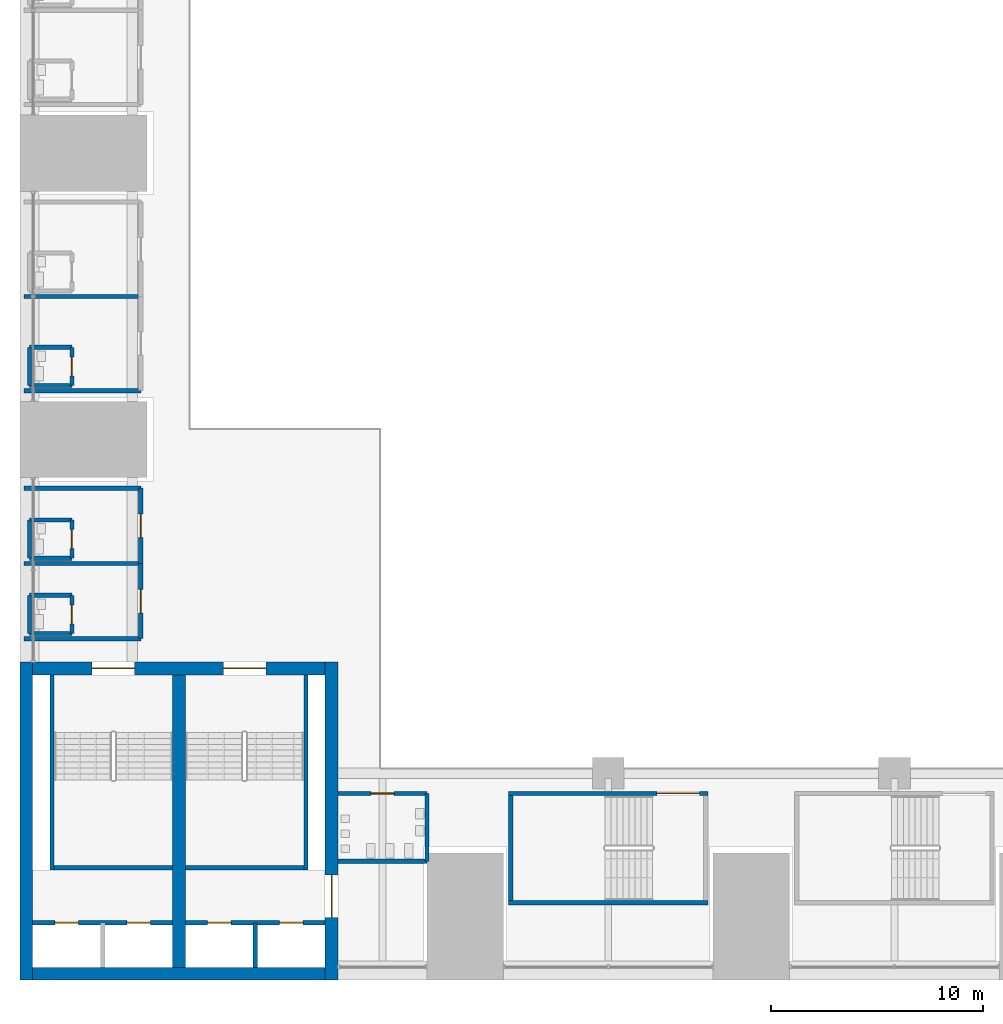
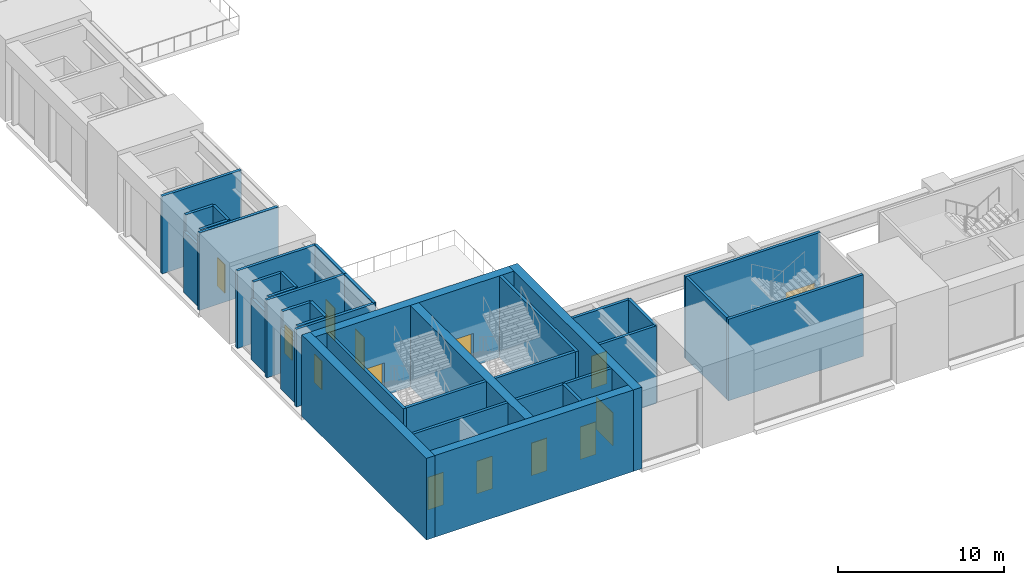
# One storey, part 13 of 43: 37 walls, 14 doors, 14 openings.
"""IFC4 building model written with IfcOpenShell, lengths in metres."""

from ifc_helpers import new_model, si_unit, direction, frame, frame_2d, origin, place, context, subcontext, project, spatial, rectangle, extrude, material, layer, layer_set, type_object, element, fill, save


model = new_model("IFC4")

# Units and contexts
model_context = context("Model", 3, precision=1e-05, world=origin(), true_north=direction((0.0, 1.0)))
body_context = subcontext(model_context, "Body", "Model", "MODEL_VIEW")
ifc_project = project(units=[si_unit("LENGTHUNIT", "METRE"), si_unit("AREAUNIT", "SQUARE_METRE"), si_unit("VOLUMEUNIT", "CUBIC_METRE"), si_unit("PLANEANGLEUNIT", "RADIAN"), si_unit("MASSUNIT", "GRAM", prefix="KILO")], contexts=[model_context])

# Site, building, storey
site_placement = place(None, origin())
site = spatial("IfcSite", under=ifc_project, at=site_placement, CompositionType="ELEMENT")
building_placement = place(site_placement, origin())
building = spatial("IfcBuilding", under=site, at=building_placement, Name="Corbelhall Arena Tower", CompositionType="ELEMENT")
storey_placement = place(building_placement, frame((0.0, 0.0, 25.0)))
storey = spatial("IfcBuildingStorey", under=building, at=storey_placement, Name="L03", CompositionType="ELEMENT", Elevation=25.0)

# Walls
ifc_material_1 = material(Name="Gypsum board on steel studs", Category="steel")
ifc_layer_1 = layer(ifc_material_1, 0.199951171875)
ifc_layer_set_1 = layer_set([ifc_layer_1], Name="AR-ROOM-WALL")
wall_type_1 = type_object("IfcWallType", Name="AR-ROOM-WALL", PredefinedType="PARTITIONING", material=ifc_layer_set_1)
for number, where, z_axis, x_axis, name in (
    (1, (-42.300048828125, -11.199951171875, 0.0), (0.0, 0.0, 1.0), (-1.0, 0.0, 0.0), "Suite seating 0311 end wall"),
    (2, (-47.800048828125, -6.75, 0.0), (0.0, 0.0, 1.0), (1.0, 0.0, 0.0), "Suite seating 0311 partition"),
):
    element("IfcWall", number, at=place(storey_placement, frame(where, z_axis=z_axis, x_axis=x_axis)), inside=storey, type_object=wall_type_1, Name=name, PredefinedType="PARTITIONING", context=body_context, shape_type="SweptSolid", body=[
        extrude(rectangle(XDim=5.5, YDim=0.199951171875, at=frame_2d((2.75, 0.0))), origin(), (0.0, 0.0, 1.0), 5.699951171875),
    ])
for number, where, z_axis, x_axis, name in (
    (3, (-47.550048828125, -10.949951171875, 0.0), (0.0, 0.0, 1.0), (1.0, 0.0, 0.0), "Suite WC 0311 wall"),
    (4, (-45.550048828125, -9.14990234375, 0.0), (0.0, 0.0, 1.0), (-1.0, 0.0, 0.0), "Suite WC 0311 wall"),
):
    element("IfcWall", number, at=place(storey_placement, frame(where, z_axis=z_axis, x_axis=x_axis)), inside=storey, type_object=wall_type_1, Name=name, PredefinedType="PARTITIONING", context=body_context, shape_type="SweptSolid", body=[
        extrude(rectangle(XDim=2.0, YDim=0.199951171875, at=frame_2d((1.0, 0.0))), origin(), (0.0, 0.0, 1.0), 5.699951171875),
    ])

# Wall, opening, door
wall_1_placement = place(storey_placement, frame((-45.550048828125, -10.949951171875, 0.0), z_axis=(0.0, 0.0, 1.0), x_axis=(0.0, 1.0, 0.0)))
wall_1 = element("IfcWall", 5, at=wall_1_placement, inside=storey, type_object=wall_type_1, Name="Suite WC 0311 wall", PredefinedType="PARTITIONING", context=body_context, shape_type="SweptSolid", body=[
    extrude(rectangle(XDim=1.800048828125, YDim=0.199951171875, at=frame_2d((0.89990234375, 0.0))), origin(), (0.0, 0.0, 1.0), 5.699951171875),
])
opening_1_placement = place(wall_1_placement, frame((0.449951171875, 0.0, 0.0)))
opening_1 = element("IfcOpeningElement", 6, at=opening_1_placement, cuts=wall_1, Name="Opening DA0404", PredefinedType="OPENING", context=body_context, shape_type="SweptSolid", body=[
    extrude(rectangle(XDim=0.89990234375, YDim=2.10009765625, at=frame_2d((0.449951171875, 1.050048828125))), frame((0.0, 0.10009765625, 0.0), z_axis=(0.0, -1.0, 0.0), x_axis=(1.0, 0.0, 0.0)), (0.0, 0.0, 1.0), 0.199951171875),
])
ifc_material_2 = material(Name="Timber", Category="wood")
door_type_1 = type_object("IfcDoorType", Name="AR-CELL-DOOR", OperationType="SINGLE_SWING_LEFT", PredefinedType="DOOR", material=ifc_material_2)
door_1_placement = place(opening_1_placement, origin())
door_1 = element("IfcDoor", 7, at=door_1_placement, inside=storey, type_object=door_type_1, Name="Suite WC 0311 door", OperationType="SINGLE_SWING_LEFT", OverallHeight=2.10009765625, OverallWidth=0.89990234375, PredefinedType="DOOR", context=body_context, shape_type="SweptSolid", body=[
    extrude(rectangle(XDim=0.89990234375, YDim=2.10009765625, at=frame_2d((0.449951171875, 1.050048828125))), frame((0.0, 0.02490234375, 0.0), z_axis=(0.0, -1.0, 0.0), x_axis=(1.0, 0.0, 0.0)), (0.0, 0.0, 1.0), 0.050048828125),
])
fill(opening_1, door_1)

wall_2_placement = place(storey_placement, frame((-42.300048828125, -22.89990234375, 0.0), z_axis=(0.0, 0.0, 1.0), x_axis=(0.0, 1.0, 0.0)))
wall_2 = element("IfcWall", 8, at=wall_2_placement, inside=storey, type_object=wall_type_1, Name="Suite seating 0315 wall", PredefinedType="PARTITIONING", context=body_context, shape_type="SweptSolid", body=[
    extrude(rectangle(XDim=3.5498046875, YDim=0.199951171875, at=frame_2d((1.77490234375, 0.0))), origin(), (0.0, 0.0, 1.0), 5.699951171875),
])
opening_2_placement = place(wall_2_placement, frame((1.22509765625, 0.0, 0.0)))
opening_2 = element("IfcOpeningElement", 9, at=opening_2_placement, cuts=wall_2, Name="Opening DA0411", PredefinedType="OPENING", context=body_context, shape_type="SweptSolid", body=[
    extrude(rectangle(XDim=1.10009765625, YDim=2.39990234375, at=frame_2d((0.550048828125, 1.199951171875))), frame((0.0, 0.10009765625, 0.0), z_axis=(0.0, -1.0, 0.0), x_axis=(1.0, 0.0, 0.0)), (0.0, 0.0, 1.0), 0.199951171875),
])
door_type_2 = type_object("IfcDoorType", Name="AR-ROOM-DOOR", OperationType="DOUBLE_DOOR_SINGLE_SWING", PredefinedType="DOOR", material=ifc_material_2)
door_2_placement = place(opening_2_placement, origin())
door_2 = element("IfcDoor", 10, at=door_2_placement, inside=storey, type_object=door_type_2, Name="Suite seating 0315 door", OperationType="DOUBLE_DOOR_SINGLE_SWING", OverallHeight=2.39990234375, OverallWidth=1.10009765625, PredefinedType="DOOR", context=body_context, shape_type="SweptSolid", body=[
    extrude(rectangle(XDim=1.10009765625, YDim=2.39990234375, at=frame_2d((0.550048828125, 1.199951171875))), frame((0.0, 0.02490234375, 0.0), z_axis=(0.0, -1.0, 0.0), x_axis=(1.0, 0.0, 0.0)), (0.0, 0.0, 1.0), 0.050048828125),
])
fill(opening_2, door_2)

# Walls
for number, where, z_axis, x_axis, name in (
    (11, (-42.300048828125, -22.89990234375, 0.0), (0.0, 0.0, 1.0), (-1.0, 0.0, 0.0), "Suite seating 0315 end wall"),
    (12, (-47.800048828125, -19.35009765625, 0.0), (0.0, 0.0, 1.0), (1.0, 0.0, 0.0), "Suite seating 0315 partition"),
):
    element("IfcWall", number, at=place(storey_placement, frame(where, z_axis=z_axis, x_axis=x_axis)), inside=storey, type_object=wall_type_1, Name=name, PredefinedType="PARTITIONING", context=body_context, shape_type="SweptSolid", body=[
        extrude(rectangle(XDim=5.5, YDim=0.199951171875, at=frame_2d((2.75, 0.0))), origin(), (0.0, 0.0, 1.0), 5.699951171875),
    ])
for number, where, z_axis, x_axis, name in (
    (13, (-47.550048828125, -22.64990234375, 0.0), (0.0, 0.0, 1.0), (1.0, 0.0, 0.0), "Suite WC 0315 wall"),
    (14, (-45.550048828125, -20.85009765625, 0.0), (0.0, 0.0, 1.0), (-1.0, 0.0, 0.0), "Suite WC 0315 wall"),
):
    element("IfcWall", number, at=place(storey_placement, frame(where, z_axis=z_axis, x_axis=x_axis)), inside=storey, type_object=wall_type_1, Name=name, PredefinedType="PARTITIONING", context=body_context, shape_type="SweptSolid", body=[
        extrude(rectangle(XDim=2.0, YDim=0.199951171875, at=frame_2d((1.0, 0.0))), origin(), (0.0, 0.0, 1.0), 5.699951171875),
    ])

# Wall, opening, door
wall_3_placement = place(storey_placement, frame((-45.550048828125, -22.64990234375, 0.0), z_axis=(0.0, 0.0, 1.0), x_axis=(0.0, 1.0, 0.0)))
wall_3 = element("IfcWall", 15, at=wall_3_placement, inside=storey, type_object=wall_type_1, Name="Suite WC 0315 wall", PredefinedType="PARTITIONING", context=body_context, shape_type="SweptSolid", body=[
    extrude(rectangle(XDim=1.7998046875, YDim=0.199951171875, at=frame_2d((0.89990234375, 0.0))), origin(), (0.0, 0.0, 1.0), 5.699951171875),
])
opening_3_placement = place(wall_3_placement, frame((0.449951171875, 0.0, 0.0)))
opening_3 = element("IfcOpeningElement", 16, at=opening_3_placement, cuts=wall_3, Name="Opening DA0412", PredefinedType="OPENING", context=body_context, shape_type="SweptSolid", body=[
    extrude(rectangle(XDim=0.89990234375, YDim=2.10009765625, at=frame_2d((0.449951171875, 1.050048828125))), frame((0.0, 0.10009765625, 0.0), z_axis=(0.0, -1.0, 0.0), x_axis=(1.0, 0.0, 0.0)), (0.0, 0.0, 1.0), 0.199951171875),
])
door_3_placement = place(opening_3_placement, origin())
door_3 = element("IfcDoor", 17, at=door_3_placement, inside=storey, type_object=door_type_1, Name="Suite WC 0315 door", OperationType="SINGLE_SWING_LEFT", OverallHeight=2.10009765625, OverallWidth=0.89990234375, PredefinedType="DOOR", context=body_context, shape_type="SweptSolid", body=[
    extrude(rectangle(XDim=0.89990234375, YDim=2.10009765625, at=frame_2d((0.449951171875, 1.050048828125))), frame((0.0, 0.02490234375, 0.0), z_axis=(0.0, -1.0, 0.0), x_axis=(1.0, 0.0, 0.0)), (0.0, 0.0, 1.0), 0.050048828125),
])
fill(opening_3, door_3)

wall_4_placement = place(storey_placement, frame((-42.300048828125, -19.35009765625, 0.0), z_axis=(0.0, 0.0, 1.0), x_axis=(0.0, 1.0, 0.0)))
wall_4 = element("IfcWall", 18, at=wall_4_placement, inside=storey, type_object=wall_type_1, Name="Suite seating 0316 wall", PredefinedType="PARTITIONING", context=body_context, shape_type="SweptSolid", body=[
    extrude(rectangle(XDim=3.550048828125, YDim=0.199951171875, at=frame_2d((1.77490234375, 0.0))), origin(), (0.0, 0.0, 1.0), 5.699951171875),
])
opening_4_placement = place(wall_4_placement, frame((1.22509765625, 0.0, 0.0)))
opening_4 = element("IfcOpeningElement", 19, at=opening_4_placement, cuts=wall_4, Name="Opening DA0413", PredefinedType="OPENING", context=body_context, shape_type="SweptSolid", body=[
    extrude(rectangle(XDim=1.10009765625, YDim=2.39990234375, at=frame_2d((0.550048828125, 1.199951171875))), frame((0.0, 0.10009765625, 0.0), z_axis=(0.0, -1.0, 0.0), x_axis=(1.0, 0.0, 0.0)), (0.0, 0.0, 1.0), 0.199951171875),
])
door_4_placement = place(opening_4_placement, origin())
door_4 = element("IfcDoor", 20, at=door_4_placement, inside=storey, type_object=door_type_2, Name="Suite seating 0316 door", OperationType="DOUBLE_DOOR_SINGLE_SWING", OverallHeight=2.39990234375, OverallWidth=1.10009765625, PredefinedType="DOOR", context=body_context, shape_type="SweptSolid", body=[
    extrude(rectangle(XDim=1.10009765625, YDim=2.39990234375, at=frame_2d((0.550048828125, 1.199951171875))), frame((0.0, 0.02490234375, 0.0), z_axis=(0.0, -1.0, 0.0), x_axis=(1.0, 0.0, 0.0)), (0.0, 0.0, 1.0), 0.050048828125),
])
fill(opening_4, door_4)

# Walls
wall_5_placement = place(storey_placement, frame((-42.300048828125, -15.800048828125, 0.0), z_axis=(0.0, 0.0, 1.0), x_axis=(-1.0, 0.0, 0.0)))
element("IfcWall", 21, at=wall_5_placement, inside=storey, type_object=wall_type_1, Name="Suite seating 0316 end wall", PredefinedType="PARTITIONING", context=body_context, shape_type="SweptSolid", body=[
    extrude(rectangle(XDim=5.5, YDim=0.199951171875, at=frame_2d((2.75, 0.0))), origin(), (0.0, 0.0, 1.0), 5.699951171875),
])
for number, where, z_axis, x_axis, name in (
    (22, (-47.550048828125, -19.10009765625, 0.0), (0.0, 0.0, 1.0), (1.0, 0.0, 0.0), "Suite WC 0316 wall"),
    (23, (-45.550048828125, -17.300048828125, 0.0), (0.0, 0.0, 1.0), (-1.0, 0.0, 0.0), "Suite WC 0316 wall"),
):
    element("IfcWall", number, at=place(storey_placement, frame(where, z_axis=z_axis, x_axis=x_axis)), inside=storey, type_object=wall_type_1, Name=name, PredefinedType="PARTITIONING", context=body_context, shape_type="SweptSolid", body=[
        extrude(rectangle(XDim=2.0, YDim=0.199951171875, at=frame_2d((1.0, 0.0))), origin(), (0.0, 0.0, 1.0), 5.699951171875),
    ])

# Wall, opening, door
wall_6_placement = place(storey_placement, frame((-45.550048828125, -19.10009765625, 0.0), z_axis=(0.0, 0.0, 1.0), x_axis=(0.0, 1.0, 0.0)))
wall_6 = element("IfcWall", 24, at=wall_6_placement, inside=storey, type_object=wall_type_1, Name="Suite WC 0316 wall", PredefinedType="PARTITIONING", context=body_context, shape_type="SweptSolid", body=[
    extrude(rectangle(XDim=1.800048828125, YDim=0.199951171875, at=frame_2d((0.89990234375, 0.0))), origin(), (0.0, 0.0, 1.0), 5.699951171875),
])
opening_5_placement = place(wall_6_placement, frame((0.449951171875, 0.0, 0.0)))
opening_5 = element("IfcOpeningElement", 25, at=opening_5_placement, cuts=wall_6, Name="Opening DA0414", PredefinedType="OPENING", context=body_context, shape_type="SweptSolid", body=[
    extrude(rectangle(XDim=0.89990234375, YDim=2.10009765625, at=frame_2d((0.449951171875, 1.050048828125))), frame((0.0, 0.10009765625, 0.0), z_axis=(0.0, -1.0, 0.0), x_axis=(1.0, 0.0, 0.0)), (0.0, 0.0, 1.0), 0.199951171875),
])
door_5_placement = place(opening_5_placement, origin())
door_5 = element("IfcDoor", 26, at=door_5_placement, inside=storey, type_object=door_type_1, Name="Suite WC 0316 door", OperationType="SINGLE_SWING_LEFT", OverallHeight=2.10009765625, OverallWidth=0.89990234375, PredefinedType="DOOR", context=body_context, shape_type="SweptSolid", body=[
    extrude(rectangle(XDim=0.89990234375, YDim=2.10009765625, at=frame_2d((0.449951171875, 1.050048828125))), frame((0.0, 0.02490234375, 0.0), z_axis=(0.0, -1.0, 0.0), x_axis=(1.0, 0.0, 0.0)), (0.0, 0.0, 1.0), 0.050048828125),
])
fill(opening_5, door_5)

wall_7_placement = place(storey_placement, frame((-33.0, -30.199951171875, 0.0), z_axis=(0.0, 0.0, 1.0), x_axis=(1.0, 0.0, 0.0)))
wall_7 = element("IfcWall", 27, at=wall_7_placement, inside=storey, type_object=wall_type_1, Name="Men's WC 4 wall", PredefinedType="PARTITIONING", context=body_context, shape_type="SweptSolid", body=[
    extrude(rectangle(XDim=4.199951171875, YDim=0.199951171875, at=frame_2d((2.10009765625, 0.0))), origin(), (0.0, 0.0, 1.0), 5.699951171875),
])
opening_6_placement = place(wall_7_placement, frame((1.550048828125, 0.0, 0.0)))
opening_6 = element("IfcOpeningElement", 28, at=opening_6_placement, cuts=wall_7, Name="Opening DA0418", PredefinedType="OPENING", context=body_context, shape_type="SweptSolid", body=[
    extrude(rectangle(XDim=1.10009765625, YDim=2.39990234375, at=frame_2d((0.550048828125, 1.199951171875))), frame((0.0, 0.10009765625, 0.0), z_axis=(0.0, -1.0, 0.0), x_axis=(1.0, 0.0, 0.0)), (0.0, 0.0, 1.0), 0.199951171875),
])
door_6_placement = place(opening_6_placement, origin())
door_6 = element("IfcDoor", 29, at=door_6_placement, inside=storey, type_object=door_type_2, Name="Men's WC 4 door", OperationType="DOUBLE_DOOR_SINGLE_SWING", OverallHeight=2.39990234375, OverallWidth=1.10009765625, PredefinedType="DOOR", context=body_context, shape_type="SweptSolid", body=[
    extrude(rectangle(XDim=1.10009765625, YDim=2.39990234375, at=frame_2d((0.550048828125, 1.199951171875))), frame((0.0, 0.02490234375, 0.0), z_axis=(0.0, -1.0, 0.0), x_axis=(1.0, 0.0, 0.0)), (0.0, 0.0, 1.0), 0.050048828125),
])
fill(opening_6, door_6)

# Walls
wall_8_placement = place(storey_placement, frame((-28.800048828125, -33.39990234375, 0.0), z_axis=(0.0, 0.0, 1.0), x_axis=(0.0, 1.0, 0.0)))
element("IfcWall", 30, at=wall_8_placement, inside=storey, type_object=wall_type_1, Name="Men's WC 4 side wall", PredefinedType="PARTITIONING", context=body_context, shape_type="SweptSolid", body=[
    extrude(rectangle(XDim=3.199951171875, YDim=0.199951171875, at=frame_2d((1.60009765625, 0.0))), origin(), (0.0, 0.0, 1.0), 5.699951171875),
])
wall_9_placement = place(storey_placement, frame((-33.0, -33.39990234375, 0.0), z_axis=(0.0, 0.0, 1.0), x_axis=(1.0, 0.0, 0.0)))
element("IfcWall", 31, at=wall_9_placement, inside=storey, type_object=wall_type_1, Name="Men's WC 4 far wall", PredefinedType="PARTITIONING", context=body_context, shape_type="SweptSolid", body=[
    extrude(rectangle(XDim=4.199951171875, YDim=0.199951171875, at=frame_2d((2.10009765625, 0.0))), origin(), (0.0, 0.0, 1.0), 5.699951171875),
])
ifc_layer_2 = layer(ifc_material_1, 0.199951171875)
ifc_layer_set_2 = layer_set([ifc_layer_2], Name="AR-ROOM-WALL under beam 1200 mm")
wall_type_2 = type_object("IfcWallType", Name="AR-ROOM-WALL under beam 1200 mm", PredefinedType="PARTITIONING", material=ifc_layer_set_2)
wall_10_placement = place(storey_placement, frame((-47.550048828125, -10.949951171875, 0.0), z_axis=(0.0, 0.0, 1.0), x_axis=(0.0, 1.0, 0.0)))
element("IfcWall", 32, at=wall_10_placement, inside=storey, type_object=wall_type_2, Name="Suite WC 0311 wall", PredefinedType="PARTITIONING", context=body_context, shape_type="SweptSolid", body=[
    extrude(rectangle(XDim=1.800048828125, YDim=0.199951171875, at=frame_2d((0.89990234375, 0.0))), origin(), (0.0, 0.0, 1.0), 4.5),
])
wall_11_placement = place(storey_placement, frame((-47.550048828125, -22.64990234375, 0.0), z_axis=(0.0, 0.0, 1.0), x_axis=(0.0, 1.0, 0.0)))
element("IfcWall", 33, at=wall_11_placement, inside=storey, type_object=wall_type_2, Name="Suite WC 0315 wall", PredefinedType="PARTITIONING", context=body_context, shape_type="SweptSolid", body=[
    extrude(rectangle(XDim=1.7998046875, YDim=0.199951171875, at=frame_2d((0.89990234375, 0.0))), origin(), (0.0, 0.0, 1.0), 4.5),
])
wall_12_placement = place(storey_placement, frame((-47.550048828125, -19.10009765625, 0.0), z_axis=(0.0, 0.0, 1.0), x_axis=(0.0, 1.0, 0.0)))
element("IfcWall", 34, at=wall_12_placement, inside=storey, type_object=wall_type_2, Name="Suite WC 0316 wall", PredefinedType="PARTITIONING", context=body_context, shape_type="SweptSolid", body=[
    extrude(rectangle(XDim=1.800048828125, YDim=0.199951171875, at=frame_2d((0.89990234375, 0.0))), origin(), (0.0, 0.0, 1.0), 4.5),
])

# Wall, openings, doors
ifc_material_3 = material(Name="Reinforced concrete C40/50", Category="concrete")
ifc_layer_3 = layer(ifc_material_3, 0.199951171875)
ifc_layer_set_3 = layer_set([ifc_layer_3], Name="AR-SHAFT-WALL")
wall_type_3 = type_object("IfcWallType", Name="AR-SHAFT-WALL", PredefinedType="SHEAR", material=ifc_layer_set_3)
wall_13_placement = place(storey_placement, frame((-47.39990234375, -36.300048828125, 0.0), z_axis=(0.0, 0.0, 1.0), x_axis=(1.0, 0.0, 0.0)))
wall_13 = element("IfcWall", 35, at=wall_13_placement, inside=storey, type_object=wall_type_3, Name="Lift lobby wall SW", PredefinedType="SHEAR", context=body_context, shape_type="SweptSolid", body=[
    extrude(rectangle(XDim=6.599853515625, YDim=0.199951171875, at=frame_2d((3.2998046875, 0.0))), origin(), (0.0, 0.0, 1.0), 6.0),
])
opening_7_placement = place(wall_13_placement, frame((1.050048828125, 0.0, 0.0)))
opening_7 = element("IfcOpeningElement", 36, at=opening_7_placement, cuts=wall_13, Name="Opening LD0264", PredefinedType="OPENING", context=body_context, shape_type="SweptSolid", body=[
    extrude(rectangle(XDim=1.10009765625, YDim=2.39990234375, at=frame_2d((0.550048828125, 1.199951171875))), frame((0.0, 0.10009765625, 0.0), z_axis=(0.0, -1.0, 0.0), x_axis=(1.0, 0.0, 0.0)), (0.0, 0.0, 1.0), 0.199951171875),
])
opening_8_placement = place(wall_13_placement, frame((4.449951171875, 0.0, 0.0)))
opening_8 = element("IfcOpeningElement", 37, at=opening_8_placement, cuts=wall_13, Name="Opening LD0265", PredefinedType="OPENING", context=body_context, shape_type="SweptSolid", body=[
    extrude(rectangle(XDim=1.10009765625, YDim=2.39990234375, at=frame_2d((0.550048828125, 1.199951171875))), frame((0.0, 0.10009765625, 0.0), z_axis=(0.0, -1.0, 0.0), x_axis=(1.0, 0.0, 0.0)), (0.0, 0.0, 1.0), 0.199951171875),
])
ifc_material_4 = material(Name="Stainless steel A4", Category="steel")
door_type_3 = type_object("IfcDoorType", Name="AR-LANDING-DOOR", OperationType="DOUBLE_DOOR_SLIDING", PredefinedType="DOOR", material=ifc_material_4)
door_7_placement = place(opening_7_placement, frame((1.10009765625, 0.0, 0.0), z_axis=(0.0, 0.0, 1.0), x_axis=(-1.0, 0.0, 0.0)))
door_7 = element("IfcDoor", 38, at=door_7_placement, inside=storey, type_object=door_type_3, Name="Landing door SW LF3 L03", OperationType="DOUBLE_DOOR_SLIDING", OverallHeight=2.39990234375, OverallWidth=1.10009765625, PredefinedType="DOOR", context=body_context, shape_type="SweptSolid", body=[
    extrude(rectangle(XDim=1.10009765625, YDim=2.39990234375, at=frame_2d((0.550048828125, 1.199951171875))), frame((0.0, 0.02490234375, 0.0), z_axis=(0.0, -1.0, 0.0), x_axis=(1.0, 0.0, 0.0)), (0.0, 0.0, 1.0), 0.050048828125),
])
fill(opening_7, door_7)
door_8_placement = place(opening_8_placement, frame((1.10009765625, 0.0, 0.0), z_axis=(0.0, 0.0, 1.0), x_axis=(-1.0, 0.0, 0.0)))
door_8 = element("IfcDoor", 39, at=door_8_placement, inside=storey, type_object=door_type_3, Name="Landing door SW LF4 L03", OperationType="DOUBLE_DOOR_SLIDING", OverallHeight=2.39990234375, OverallWidth=1.10009765625, PredefinedType="DOOR", context=body_context, shape_type="SweptSolid", body=[
    extrude(rectangle(XDim=1.10009765625, YDim=2.39990234375, at=frame_2d((0.550048828125, 1.199951171875))), frame((0.0, 0.02490234375, 0.0), z_axis=(0.0, -1.0, 0.0), x_axis=(1.0, 0.0, 0.0)), (0.0, 0.0, 1.0), 0.050048828125),
])
fill(opening_8, door_8)

wall_14_placement = place(storey_placement, frame((-40.199951171875, -36.300048828125, 0.0), z_axis=(0.0, 0.0, 1.0), x_axis=(1.0, 0.0, 0.0)))
wall_14 = element("IfcWall", 40, at=wall_14_placement, inside=storey, type_object=wall_type_3, Name="Lift lobby wall SW", PredefinedType="SHEAR", context=body_context, shape_type="SweptSolid", body=[
    extrude(rectangle(XDim=6.599853515625, YDim=0.199951171875, at=frame_2d((3.2998046875, 0.0))), origin(), (0.0, 0.0, 1.0), 6.0),
])
opening_9_placement = place(wall_14_placement, frame((1.050048828125, 0.0, 0.0)))
opening_9 = element("IfcOpeningElement", 41, at=opening_9_placement, cuts=wall_14, Name="Opening LD0266", PredefinedType="OPENING", context=body_context, shape_type="SweptSolid", body=[
    extrude(rectangle(XDim=1.10009765625, YDim=2.39990234375, at=frame_2d((0.550048828125, 1.199951171875))), frame((0.0, 0.10009765625, 0.0), z_axis=(0.0, -1.0, 0.0), x_axis=(1.0, 0.0, 0.0)), (0.0, 0.0, 1.0), 0.199951171875),
])
opening_10_placement = place(wall_14_placement, frame((4.449951171875, 0.0, 0.0)))
opening_10 = element("IfcOpeningElement", 42, at=opening_10_placement, cuts=wall_14, Name="Opening LD0267", PredefinedType="OPENING", context=body_context, shape_type="SweptSolid", body=[
    extrude(rectangle(XDim=1.10009765625, YDim=2.39990234375, at=frame_2d((0.550048828125, 1.199951171875))), frame((0.0, 0.10009765625, 0.0), z_axis=(0.0, -1.0, 0.0), x_axis=(1.0, 0.0, 0.0)), (0.0, 0.0, 1.0), 0.199951171875),
])
door_9_placement = place(opening_9_placement, frame((1.10009765625, 0.0, 0.0), z_axis=(0.0, 0.0, 1.0), x_axis=(-1.0, 0.0, 0.0)))
door_9 = element("IfcDoor", 43, at=door_9_placement, inside=storey, type_object=door_type_3, Name="Landing door SW LF1 L03", OperationType="DOUBLE_DOOR_SLIDING", OverallHeight=2.39990234375, OverallWidth=1.10009765625, PredefinedType="DOOR", context=body_context, shape_type="SweptSolid", body=[
    extrude(rectangle(XDim=1.10009765625, YDim=2.39990234375, at=frame_2d((0.550048828125, 1.199951171875))), frame((0.0, 0.02490234375, 0.0), z_axis=(0.0, -1.0, 0.0), x_axis=(1.0, 0.0, 0.0)), (0.0, 0.0, 1.0), 0.050048828125),
])
fill(opening_9, door_9)
door_10_placement = place(opening_10_placement, frame((1.10009765625, 0.0, 0.0), z_axis=(0.0, 0.0, 1.0), x_axis=(-1.0, 0.0, 0.0)))
door_10 = element("IfcDoor", 44, at=door_10_placement, inside=storey, type_object=door_type_3, Name="Landing door SW LF2 L03", OperationType="DOUBLE_DOOR_SLIDING", OverallHeight=2.39990234375, OverallWidth=1.10009765625, PredefinedType="DOOR", context=body_context, shape_type="SweptSolid", body=[
    extrude(rectangle(XDim=1.10009765625, YDim=2.39990234375, at=frame_2d((0.550048828125, 1.199951171875))), frame((0.0, 0.02490234375, 0.0), z_axis=(0.0, -1.0, 0.0), x_axis=(1.0, 0.0, 0.0)), (0.0, 0.0, 1.0), 0.050048828125),
])
fill(opening_10, door_10)

# Wall
wall_15_placement = place(storey_placement, frame((-36.89990234375, -38.39990234375, 0.0), z_axis=(0.0, 0.0, 1.0), x_axis=(0.0, 1.0, 0.0)))
element("IfcWall", 45, at=wall_15_placement, inside=storey, type_object=wall_type_3, Name="Shaft wall SW", PredefinedType="SHEAR", context=body_context, shape_type="SweptSolid", body=[
    extrude(rectangle(XDim=2.099853515625, YDim=0.199951171875, at=frame_2d((1.0498046875, 0.0))), origin(), (0.0, 0.0, 1.0), 6.0),
])

# Wall, opening, door
ifc_layer_4 = layer(ifc_material_3, 0.199951171875)
ifc_layer_set_4 = layer_set([ifc_layer_4], Name="AR-STAIR-WALL")
wall_type_4 = type_object("IfcWallType", Name="AR-STAIR-WALL", PredefinedType="SOLIDWALL", material=ifc_layer_set_4)
wall_16_placement = place(storey_placement, frame((-15.550048828125, -30.199951171875, 0.0), z_axis=(0.0, 0.0, 1.0), x_axis=(-1.0, 0.0, 0.0)))
wall_16 = element("IfcWall", 46, at=wall_16_placement, inside=storey, type_object=wall_type_4, Name="Stair AS13 wall", PredefinedType="SOLIDWALL", context=body_context, shape_type="SweptSolid", body=[
    extrude(rectangle(XDim=9.39990234375, YDim=0.199951171875, at=frame_2d((4.699951171875, 0.0))), origin(), (0.0, 0.0, 1.0), 6.0),
])
opening_11_placement = place(wall_16_placement, frame((0.39990234375, 0.0, 0.0)))
opening_11 = element("IfcOpeningElement", 47, at=opening_11_placement, cuts=wall_16, Name="Opening DA0028", PredefinedType="OPENING", context=body_context, shape_type="SweptSolid", body=[
    extrude(rectangle(XDim=2.0, YDim=2.39990234375, at=frame_2d((1.0, 1.199951171875))), frame((0.0, 0.10009765625, 0.0), z_axis=(0.0, -1.0, 0.0), x_axis=(1.0, 0.0, 0.0)), (0.0, 0.0, 1.0), 0.199951171875),
])
ifc_material_5 = material(Name="Steel and glass", Category="steel")
door_type_4 = type_object("IfcDoorType", Name="AR-STAIR-DOOR", OperationType="DOUBLE_DOOR_SINGLE_SWING", PredefinedType="DOOR", material=ifc_material_5)
door_11_placement = place(opening_11_placement, origin())
door_11 = element("IfcDoor", 48, at=door_11_placement, inside=storey, type_object=door_type_4, Name="Stair AS13 door", OperationType="DOUBLE_DOOR_SINGLE_SWING", OverallHeight=2.39990234375, OverallWidth=2.0, PredefinedType="DOOR", context=body_context, shape_type="SweptSolid", body=[
    extrude(rectangle(XDim=2.0, YDim=2.39990234375, at=frame_2d((1.0, 1.199951171875))), frame((0.0, 0.02490234375, 0.0), z_axis=(0.0, -1.0, 0.0), x_axis=(1.0, 0.0, 0.0)), (0.0, 0.0, 1.0), 0.050048828125),
])
fill(opening_11, door_11)

# Walls
wall_17_placement = place(storey_placement, frame((-24.949951171875, -35.35009765625, 0.0), z_axis=(0.0, 0.0, 1.0), x_axis=(1.0, 0.0, 0.0)))
element("IfcWall", 49, at=wall_17_placement, inside=storey, type_object=wall_type_4, Name="Stair AS13 wall", PredefinedType="SOLIDWALL", context=body_context, shape_type="SweptSolid", body=[
    extrude(rectangle(XDim=9.39990234375, YDim=0.199951171875, at=frame_2d((4.699951171875, 0.0))), origin(), (0.0, 0.0, 1.0), 6.0),
])
wall_18_placement = place(storey_placement, frame((-24.85009765625, -35.25, 0.0), z_axis=(0.0, 0.0, 1.0), x_axis=(0.0, 1.0, 0.0)))
element("IfcWall", 50, at=wall_18_placement, inside=storey, type_object=wall_type_4, Name="Stair AS13 wall", PredefinedType="SOLIDWALL", context=body_context, shape_type="SweptSolid", body=[
    extrude(rectangle(XDim=4.949951171875, YDim=0.199951171875, at=frame_2d((2.47509765625, 0.0))), origin(), (0.0, 0.0, 1.0), 6.0),
])
wall_19_placement = place(storey_placement, frame((-34.510009765625, -33.800048828125, 0.0), z_axis=(0.0, 0.0, 1.0), x_axis=(0.0, 1.0, 0.0)))
element("IfcWall", 51, at=wall_19_placement, inside=storey, type_object=wall_type_4, Name="Stair AS7 wall", PredefinedType="SOLIDWALL", context=body_context, shape_type="SweptSolid", body=[
    extrude(rectangle(XDim=9.199951171875, YDim=0.199951171875, at=frame_2d((4.60009765625, 0.0))), origin(), (0.0, 0.0, 1.0), 6.0),
])
wall_20_placement = place(storey_placement, frame((-40.199951171875, -33.699951171875, 0.0), z_axis=(0.0, 0.0, 1.0), x_axis=(1.0, 0.0, 0.0)))
element("IfcWall", 52, at=wall_20_placement, inside=storey, type_object=wall_type_4, Name="Stair AS7 wall", PredefinedType="SOLIDWALL", context=body_context, shape_type="SweptSolid", body=[
    extrude(rectangle(XDim=5.58984375, YDim=0.199951171875, at=frame_2d((2.794921875, 0.0))), origin(), (0.0, 0.0, 1.0), 6.0),
])
wall_21_placement = place(storey_placement, frame((-46.489990234375, -33.800048828125, 0.0), z_axis=(0.0, 0.0, 1.0), x_axis=(0.0, 1.0, 0.0)))
element("IfcWall", 53, at=wall_21_placement, inside=storey, type_object=wall_type_4, Name="Stair AS8 wall", PredefinedType="SOLIDWALL", context=body_context, shape_type="SweptSolid", body=[
    extrude(rectangle(XDim=9.199951171875, YDim=0.199951171875, at=frame_2d((4.60009765625, 0.0))), origin(), (0.0, 0.0, 1.0), 6.0),
])
wall_22_placement = place(storey_placement, frame((-46.389892578125, -33.699951171875, 0.0), z_axis=(0.0, 0.0, 1.0), x_axis=(1.0, 0.0, 0.0)))
element("IfcWall", 54, at=wall_22_placement, inside=storey, type_object=wall_type_4, Name="Stair AS8 wall", PredefinedType="SOLIDWALL", context=body_context, shape_type="SweptSolid", body=[
    extrude(rectangle(XDim=5.58984375, YDim=0.199951171875, at=frame_2d((2.794921875, 0.0))), origin(), (0.0, 0.0, 1.0), 6.0),
])

# Wall, openings, doors
ifc_material_6 = material(Name="Concrete C80/95", Category="concrete")
ifc_layer_5 = layer(ifc_material_6, 0.60009765625)
ifc_layer_set_5 = layer_set([ifc_layer_5], Name="PO-CORE-WALL")
wall_type_5 = type_object("IfcWallType", Name="PO-CORE-WALL", PredefinedType="SHEAR", material=ifc_layer_set_5)
wall_23_placement = place(storey_placement, frame((-47.39990234375, -24.300048828125, 0.0), z_axis=(0.0, 0.0, 1.0), x_axis=(1.0, 0.0, 0.0)))
wall_23 = element("IfcWall", 55, at=wall_23_placement, inside=storey, type_object=wall_type_5, Name="CORE SW WALL N L03", PredefinedType="SHEAR", context=body_context, shape_type="SweptSolid", body=[
    extrude(rectangle(XDim=13.7998046875, YDim=0.60009765625, at=frame_2d((6.89990234375, 0.0))), origin(), (0.0, 0.0, 1.0), 6.0),
])
opening_12_placement = place(wall_23_placement, frame((8.9951171875, 0.0, 0.0)))
opening_12 = element("IfcOpeningElement", 56, at=opening_12_placement, cuts=wall_23, Name="Opening DA0104", PredefinedType="OPENING", context=body_context, shape_type="SweptSolid", body=[
    extrude(rectangle(XDim=2.0, YDim=2.39990234375, at=frame_2d((1.0, 1.199951171875))), frame((0.0, 0.300048828125, 0.0), z_axis=(0.0, -1.0, 0.0), x_axis=(1.0, 0.0, 0.0)), (0.0, 0.0, 1.0), 0.60009765625),
])
opening_13_placement = place(wall_23_placement, frame((2.804931640625, 0.0, 0.0)))
opening_13 = element("IfcOpeningElement", 57, at=opening_13_placement, cuts=wall_23, Name="Opening DA0112", PredefinedType="OPENING", context=body_context, shape_type="SweptSolid", body=[
    extrude(rectangle(XDim=2.0, YDim=2.39990234375, at=frame_2d((1.0, 1.199951171875))), frame((0.0, 0.300048828125, 0.0), z_axis=(0.0, -1.0, 0.0), x_axis=(1.0, 0.0, 0.0)), (0.0, 0.0, 1.0), 0.60009765625),
])
door_12_placement = place(opening_12_placement, frame((2.0, 0.0, 0.0), z_axis=(0.0, 0.0, 1.0), x_axis=(-1.0, 0.0, 0.0)))
door_12 = element("IfcDoor", 58, at=door_12_placement, inside=storey, type_object=door_type_4, Name="Stair AS7 door", OperationType="DOUBLE_DOOR_SINGLE_SWING", OverallHeight=2.39990234375, OverallWidth=2.0, PredefinedType="DOOR", context=body_context, shape_type="SweptSolid", body=[
    extrude(rectangle(XDim=2.0, YDim=2.39990234375, at=frame_2d((1.0, 1.199951171875))), frame((0.0, 0.02490234375, 0.0), z_axis=(0.0, -1.0, 0.0), x_axis=(1.0, 0.0, 0.0)), (0.0, 0.0, 1.0), 0.050048828125),
])
fill(opening_12, door_12)
door_13_placement = place(opening_13_placement, frame((2.0, 0.0, 0.0), z_axis=(0.0, 0.0, 1.0), x_axis=(-1.0, 0.0, 0.0)))
door_13 = element("IfcDoor", 59, at=door_13_placement, inside=storey, type_object=door_type_4, Name="Stair AS8 door", OperationType="DOUBLE_DOOR_SINGLE_SWING", OverallHeight=2.39990234375, OverallWidth=2.0, PredefinedType="DOOR", context=body_context, shape_type="SweptSolid", body=[
    extrude(rectangle(XDim=2.0, YDim=2.39990234375, at=frame_2d((1.0, 1.199951171875))), frame((0.0, 0.02490234375, 0.0), z_axis=(0.0, -1.0, 0.0), x_axis=(1.0, 0.0, 0.0)), (0.0, 0.0, 1.0), 0.050048828125),
])
fill(opening_13, door_13)

# Walls
wall_24_placement = place(storey_placement, frame((-47.39990234375, -38.699951171875, 0.0), z_axis=(0.0, 0.0, 1.0), x_axis=(1.0, 0.0, 0.0)))
element("IfcWall", 60, at=wall_24_placement, inside=storey, type_object=wall_type_5, Name="CORE SW WALL S L03", PredefinedType="SHEAR", context=body_context, shape_type="SweptSolid", body=[
    extrude(rectangle(XDim=13.7998046875, YDim=0.60009765625, at=frame_2d((6.89990234375, 0.0))), origin(), (0.0, 0.0, 1.0), 6.0),
])
wall_25_placement = place(storey_placement, frame((-47.699951171875, -39.0, 0.0), z_axis=(0.0, 0.0, 1.0), x_axis=(0.0, 1.0, 0.0)))
element("IfcWall", 61, at=wall_25_placement, inside=storey, type_object=wall_type_5, Name="CORE SW WALL W L03", PredefinedType="SHEAR", context=body_context, shape_type="SweptSolid", body=[
    extrude(rectangle(XDim=15.0, YDim=0.60009765625, at=frame_2d((7.5, 0.0))), origin(), (0.0, 0.0, 1.0), 6.0),
])

# Wall, opening, door
wall_26_placement = place(storey_placement, frame((-33.300048828125, -39.0, 0.0), z_axis=(0.0, 0.0, 1.0), x_axis=(0.0, 1.0, 0.0)))
wall_26 = element("IfcWall", 62, at=wall_26_placement, inside=storey, type_object=wall_type_5, Name="CORE SW WALL E L03", PredefinedType="SHEAR", context=body_context, shape_type="SweptSolid", body=[
    extrude(rectangle(XDim=15.0, YDim=0.60009765625, at=frame_2d((7.5, 0.0))), origin(), (0.0, 0.0, 1.0), 6.0),
])
opening_14_placement = place(wall_26_placement, frame((2.949951171875, 0.0, 0.0)))
opening_14 = element("IfcOpeningElement", 63, at=opening_14_placement, cuts=wall_26, Name="Opening DA0268", PredefinedType="OPENING", context=body_context, shape_type="SweptSolid", body=[
    extrude(rectangle(XDim=2.0, YDim=2.39990234375, at=frame_2d((1.0, 1.199951171875))), frame((0.0, 0.300048828125, 0.0), z_axis=(0.0, -1.0, 0.0), x_axis=(1.0, 0.0, 0.0)), (0.0, 0.0, 1.0), 0.60009765625),
])
door_type_5 = type_object("IfcDoorType", Name="AR-CORE-DOOR", OperationType="DOUBLE_DOOR_SINGLE_SWING", PredefinedType="DOOR", material=ifc_material_5)
door_14_placement = place(opening_14_placement, origin())
door_14 = element("IfcDoor", 64, at=door_14_placement, inside=storey, type_object=door_type_5, Name="Core lobby door SW L03", OperationType="DOUBLE_DOOR_SINGLE_SWING", OverallHeight=2.39990234375, OverallWidth=2.0, PredefinedType="DOOR", context=body_context, shape_type="SweptSolid", body=[
    extrude(rectangle(XDim=2.0, YDim=2.39990234375, at=frame_2d((1.0, 1.199951171875))), frame((0.0, 0.02490234375, 0.0), z_axis=(0.0, -1.0, 0.0), x_axis=(1.0, 0.0, 0.0)), (0.0, 0.0, 1.0), 0.050048828125),
])
fill(opening_14, door_14)

# Wall
wall_27_placement = place(storey_placement, frame((-40.5, -38.39990234375, 0.0), z_axis=(0.0, 0.0, 1.0), x_axis=(0.0, 1.0, 0.0)))
element("IfcWall", 65, at=wall_27_placement, inside=storey, type_object=wall_type_5, Name="CORE SW WALL D L03", PredefinedType="SHEAR", context=body_context, shape_type="SweptSolid", body=[
    extrude(rectangle(XDim=13.7998046875, YDim=0.60009765625, at=frame_2d((6.89990234375, 0.0))), origin(), (0.0, 0.0, 1.0), 6.0),
])

save(model, "model.ifc")
